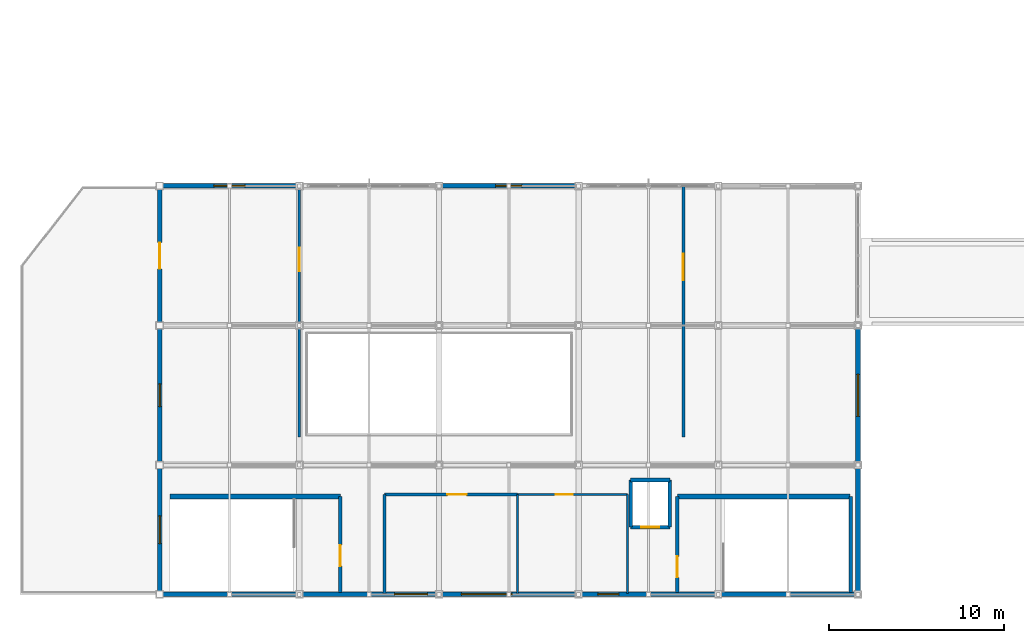
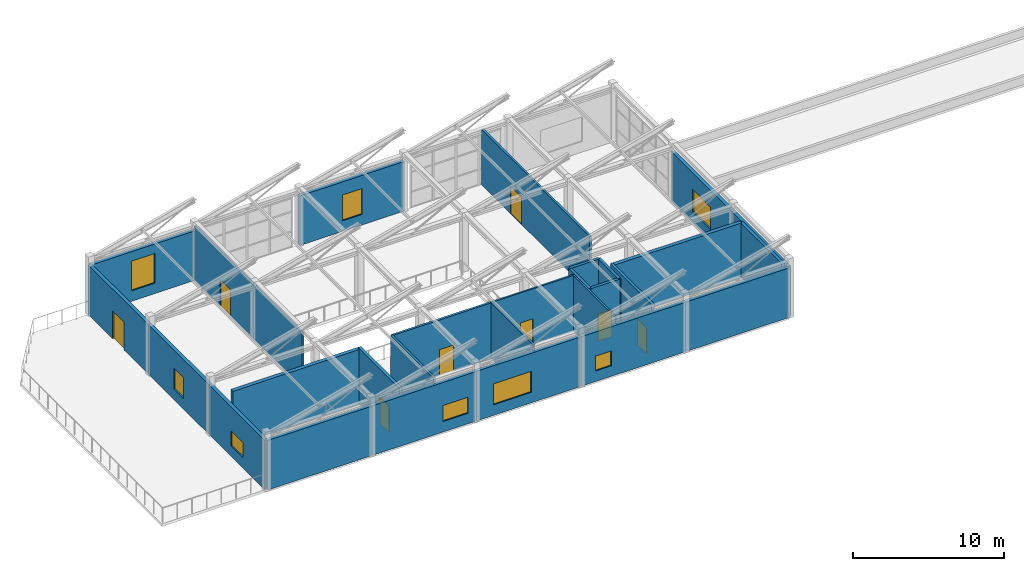
# One storey, part 49 of 63: 28 walls, 8 doors, 8 windows, 16 openings.
"""IFC4 building model written with IfcOpenShell, lengths in metres."""

import ifcopenshell
import ifcopenshell.guid

model = None  # the IFC model being written
_history = None  # IfcOwnerHistory: only IFC2X3 demands one
_inside = {}  # id of a spatial element -> (the spatial element, [elements in it])
_under = {}  # id of a project, library or spatial element -> (it, [spatial elements below it])
_declared = {}  # id of a project -> (the project, [libraries it declares])
_typed = {}  # id of a type object -> (the type object, [elements of that type])
_made_of = {}  # id of a material, layer set ... -> (it, [elements and type objects made of it])


def new_model(schema):
    """Start an empty IFC model of exactly this schema.

    Asked for "IFC4X3", IfcOpenShell would pick the latest addendum, in which some entities
    have other attributes; the version numbers below select the first issue.
    IFC2X3 requires an IfcOwnerHistory on every rooted entity: one is made here for all.
    """
    global model, _history
    if schema == "IFC4X3":
        model = ifcopenshell.file(schema_version=(4, 3, 0, 0))
    else:
        model = ifcopenshell.file(schema=schema)
    _inside.clear()
    _under.clear()
    _declared.clear()
    _typed.clear()
    _made_of.clear()
    _history = None
    if model.schema == "IFC2X3":
        org = make("IfcOrganization", Name="unknown")
        user = make(
            "IfcPersonAndOrganization",
            ThePerson=make("IfcPerson", FamilyName="unknown"),
            TheOrganization=org,
        )
        app = make(
            "IfcApplication",
            ApplicationDeveloper=org,
            Version="unknown",
            ApplicationFullName="unknown",
            ApplicationIdentifier="unknown",
        )
        _history = make(
            "IfcOwnerHistory",
            OwningUser=user,
            OwningApplication=app,
            ChangeAction="ADDED",
            CreationDate=0,
        )
    return model


def make(cls, **values):
    """One entity of the class cls with the attributes given. An attribute that is None is left unset."""
    return model.create_entity(
        cls, **{name: value for name, value in values.items() if value is not None}
    )


def rooted(cls, **values):
    """An entity with a GlobalId (a new one), such as an element, a storey or a relation."""
    return make(cls, GlobalId=ifcopenshell.guid.new(), OwnerHistory=_history, **values)


def si_unit(unit_type, name, prefix=None):
    """IfcSIUnit, for example si_unit("LENGTHUNIT", "METRE", prefix="MILLI")."""
    return make("IfcSIUnit", UnitType=unit_type, Prefix=prefix, Name=name)


def assignment(units):
    """IfcUnitAssignment: the units of a project."""
    return None if units is None else make("IfcUnitAssignment", Units=units)


def point(xyz):
    """IfcCartesianPoint."""
    return None if xyz is None else make("IfcCartesianPoint", Coordinates=xyz)


def direction(xyz):
    """IfcDirection."""
    return None if xyz is None else make("IfcDirection", DirectionRatios=xyz)


def frame(location, z_axis=None, x_axis=None):
    """IfcAxis2Placement3D, a coordinate frame: its origin and axes. An axis left out is left unset."""
    return make(
        "IfcAxis2Placement3D",
        Location=point(location),
        Axis=direction(z_axis),
        RefDirection=direction(x_axis),
    )


def frame_2d(location, x_axis=None):
    """IfcAxis2Placement2D, a coordinate frame in the plane: its origin and x axis."""
    return make(
        "IfcAxis2Placement2D", Location=point(location), RefDirection=direction(x_axis)
    )


def origin():
    """The frame at (0, 0, 0) with its axes left unset."""
    return frame((0.0, 0.0, 0.0))


def place(relative_to, where):
    """IfcLocalPlacement: puts the frame where relative to a parent placement (None: the world)."""
    return make(
        "IfcLocalPlacement", PlacementRelTo=relative_to, RelativePlacement=where
    )


def context(
    kind, dimensions, precision=None, world=None, true_north=None, identifier=None
):
    """IfcGeometricRepresentationContext, for example the 3D "Model" context."""
    return make(
        "IfcGeometricRepresentationContext",
        ContextIdentifier=identifier,
        ContextType=kind,
        CoordinateSpaceDimension=dimensions,
        Precision=precision,
        WorldCoordinateSystem=world,
        TrueNorth=true_north,
    )


def subcontext(parent, identifier, kind, view, scale=None):
    """IfcGeometricRepresentationSubContext, for example "Body" below "Model"."""
    return make(
        "IfcGeometricRepresentationSubContext",
        ContextIdentifier=identifier,
        ContextType=kind,
        ParentContext=parent,
        TargetScale=scale,
        TargetView=view,
    )


def project(units=None, contexts=None):
    """IfcProject with its units and contexts."""
    return rooted(
        "IfcProject",
        Name="project",
        RepresentationContexts=contexts,
        UnitsInContext=assignment(units),
    )


def spatial(cls, under=None, at=None, **own):
    """A site, building, storey or space (cls), placed at a placement, below another one or the project."""
    s = rooted(cls, ObjectPlacement=at, **own)
    if under is not None:
        _under.setdefault(under.id(), (under, []))[1].append(s)
    return s


def profile(cls, at=None, kind="AREA", **sizes):
    """A parametric profile (cls). Its sizes go by their IFC names, for example OverallWidth=200.0."""
    return make(cls, ProfileType=kind, Position=at, **sizes)


def rectangle(**sizes):
    """IfcRectangleProfileDef."""
    return profile("IfcRectangleProfileDef", **sizes)


def extrude(swept, where, along, depth):
    """IfcExtrudedAreaSolid: the profile swept, set in the frame where, extruded along a direction by depth."""
    return make(
        "IfcExtrudedAreaSolid",
        SweptArea=swept,
        Position=where,
        ExtrudedDirection=direction(along),
        Depth=depth,
    )


def shape(context_of_items, identifier, shape_type, items):
    """IfcShapeRepresentation: the items that make up one representation, for example the "Body"."""
    return make(
        "IfcShapeRepresentation",
        ContextOfItems=context_of_items,
        RepresentationIdentifier=identifier,
        RepresentationType=shape_type,
        Items=items,
    )


def material(Name=None, Category=None):
    """IfcMaterial."""
    return make("IfcMaterial", Name=Name, Category=Category)


def layer(
    of_material, thickness, ventilated=None, Name=None, Category=None, Priority=None
):
    """IfcMaterialLayer: one layer of a wall or slab, of a material (None: an air gap)."""
    return make(
        "IfcMaterialLayer",
        Material=of_material,
        LayerThickness=thickness,
        IsVentilated=ventilated,
        Name=Name,
        Category=Category,
        Priority=Priority,
    )


def layer_set(layers, Name=None):
    """IfcMaterialLayerSet."""
    return make("IfcMaterialLayerSet", MaterialLayers=layers, LayerSetName=Name)


def made_of(thing, what):
    """Note that an element or type object is made of a material, layer set ...; save() writes the relation."""
    if what is not None:
        _made_of.setdefault(what.id(), (what, []))[1].append(thing)
    return thing


def type_object(cls, material=None, **own):
    """A type object (cls), such as IfcWallType, which elements share."""
    return made_of(rooted(cls, **own), material)


def element(
    cls,
    number,
    at=None,
    inside=None,
    cuts=None,
    type_object=None,
    material=None,
    context=None,
    identifier="Body",
    shape_type=None,
    held_by="IfcProductDefinitionShape",
    body=None,
    shapes=None,
    **own,
):
    """One element of the class cls, such as IfcWall. Its Tag is "e" and its number.

    at: its placement. inside: the storey or other place that contains it. cuts: it is an
    opening in that element (IfcRelVoidsElement). A single representation is given by context,
    identifier, shape_type and body (its items); several are given by shapes. held_by: the class
    of the entity that holds the representations. save() writes the other relations.
    """
    e = rooted(cls, Tag="e%d" % number, ObjectPlacement=at, **own)
    if body is not None:
        shapes = [shape(context, identifier, shape_type, body)]
    if shapes is not None:
        e.Representation = make(held_by, Representations=shapes)
    if inside is not None:
        _inside.setdefault(inside.id(), (inside, []))[1].append(e)
    if cuts is not None:
        rooted(
            "IfcRelVoidsElement", RelatingBuildingElement=cuts, RelatedOpeningElement=e
        )
    if type_object is not None:
        _typed.setdefault(type_object.id(), (type_object, []))[1].append(e)
    return made_of(e, material)


def fill(opening, filler):
    """IfcRelFillsElement: the door or window that sits in an opening."""
    return rooted(
        "IfcRelFillsElement",
        RelatingOpeningElement=opening,
        RelatedBuildingElement=filler,
    )


def aggregate(whole, parts):
    """IfcRelAggregates: a whole, such as a stair, and the parts it consists of."""
    return rooted("IfcRelAggregates", RelatingObject=whole, RelatedObjects=parts)


def save(model, path):
    """Write the relations noted so far, then the file.

    IfcRelAggregates (storeys below a building ...), IfcRelContainedInSpatialStructure (elements
    in a storey), IfcRelDefinesByType, IfcRelAssociatesMaterial and IfcRelDeclares: one each for
    every whole, place, type object, material and project.
    """
    for whole, parts in _under.values():
        aggregate(whole, parts)
    for where, things in _inside.values():
        rooted(
            "IfcRelContainedInSpatialStructure",
            RelatedElements=things,
            RelatingStructure=where,
        )
    for kind, things in _typed.values():
        rooted("IfcRelDefinesByType", RelatedObjects=things, RelatingType=kind)
    for what, things in _made_of.values():
        rooted("IfcRelAssociatesMaterial", RelatedObjects=things, RelatingMaterial=what)
    for by, libraries in _declared.values():
        rooted("IfcRelDeclares", RelatingContext=by, RelatedDefinitions=libraries)
    model.write(path)


model = new_model("IFC4")

# Units and contexts
model_context = context("Model", 3, precision=1e-05, world=origin(), true_north=direction((0.0, 1.0)))
body_context = subcontext(model_context, "Body", "Model", "MODEL_VIEW")
ifc_project = project(units=[si_unit("LENGTHUNIT", "METRE"), si_unit("AREAUNIT", "SQUARE_METRE"), si_unit("VOLUMEUNIT", "CUBIC_METRE"), si_unit("PLANEANGLEUNIT", "RADIAN"), si_unit("MASSUNIT", "GRAM", prefix="KILO")], contexts=[model_context])

# Site, building, storey
site_placement = place(None, origin())
site = spatial("IfcSite", under=ifc_project, at=site_placement, CompositionType="ELEMENT")
building_placement = place(site_placement, origin())
building = spatial("IfcBuilding", under=site, at=building_placement, Name="Canggui Botanical Conservatory", CompositionType="ELEMENT")
storey_placement = place(building_placement, frame((0.0, 0.0, 10.199951171875)))
storey = spatial("IfcBuildingStorey", under=building, at=storey_placement, Name="L03", CompositionType="ELEMENT", Elevation=10.199951171875)

# Wall
ifc_material_1 = material(Name="Precast Concrete C40", Category="concrete")
ifc_layer_1 = layer(ifc_material_1, 0.260009765625, Name="Precast Concrete C40", Category="concrete")
ifc_layer_set_1 = layer_set([ifc_layer_1], Name="Precast Concrete C40")
wall_type_1 = type_object("IfcWallType", Name="EW-260", PredefinedType="STANDARD", material=ifc_layer_set_1)
wall_1_placement = place(storey_placement, frame((66.0, 10.60009765625, 0.0), z_axis=(0.0, 0.0, 1.0), x_axis=(-1.0, 0.0, 0.0)))
element("IfcWall", 1, at=wall_1_placement, inside=storey, type_object=wall_type_1, Name="Visitor Centre Exterior Wall L03-1", PredefinedType="STANDARD", context=body_context, shape_type="SweptSolid", body=[
    extrude(rectangle(XDim=8.0, YDim=0.260009765625, at=frame_2d((4.0, 0.0))), origin(), (0.0, 0.0, 1.0), 4.010009765625),
])

# Wall, opening, window
wall_2_placement = place(storey_placement, frame((58.0, 10.60009765625, 0.0), z_axis=(0.0, 0.0, 1.0), x_axis=(-1.0, 0.0, 0.0)))
wall_2 = element("IfcWall", 2, at=wall_2_placement, inside=storey, type_object=wall_type_1, Name="Visitor Centre Exterior Wall L03-2", PredefinedType="STANDARD", context=body_context, shape_type="SweptSolid", body=[
    extrude(rectangle(XDim=8.0, YDim=0.260009765625, at=frame_2d((4.0, 0.0))), origin(), (0.0, 0.0, 1.0), 4.010009765625),
])
opening_1_placement = place(wall_2_placement, frame((5.69189453125, 0.0, 0.85009765625)))
opening_1 = element("IfcOpeningElement", 3, at=opening_1_placement, cuts=wall_2, Name="Opening W-06", PredefinedType="OPENING", context=body_context, shape_type="SweptSolid", body=[
    extrude(rectangle(XDim=1.199951171875, YDim=1.199951171875, at=frame_2d((0.60009765625, 0.60009765625))), frame((0.0, 0.14013671875, 0.0), z_axis=(0.0, -1.0, 0.0), x_axis=(1.0, 0.0, 0.0)), (0.0, 0.0, 1.0), 0.280029296875),
])
ifc_material_2 = material(Name="Low-E Insulated Glass", Category="glass")
window_type_1 = type_object("IfcWindowType", Name="WIN-06", PartitioningType="SINGLE_PANEL", PredefinedType="WINDOW", material=ifc_material_2)
window_1_placement = place(opening_1_placement, origin())
window_1 = element("IfcWindow", 4, at=window_1_placement, inside=storey, type_object=window_type_1, Name="Visitor Centre Window L03-2", OverallHeight=1.199951171875, OverallWidth=1.199951171875, PartitioningType="SINGLE_PANEL", PredefinedType="WINDOW", context=body_context, shape_type="SweptSolid", body=[
    extrude(rectangle(XDim=1.199951171875, YDim=1.199951171875, at=frame_2d((0.60009765625, 0.60009765625))), frame((0.0, 0.030029296875, 0.0), z_axis=(0.0, -1.0, 0.0), x_axis=(1.0, 0.0, 0.0)), (0.0, 0.0, 1.0), 0.06005859375),
])
fill(opening_1, window_1)

wall_3_placement = place(storey_placement, frame((50.0, 10.60009765625, 0.0), z_axis=(0.0, 0.0, 1.0), x_axis=(-1.0, 0.0, 0.0)))
wall_3 = element("IfcWall", 5, at=wall_3_placement, inside=storey, type_object=wall_type_1, Name="Visitor Centre Exterior Wall L03-3", PredefinedType="STANDARD", context=body_context, shape_type="SweptSolid", body=[
    extrude(rectangle(XDim=8.0, YDim=0.260009765625, at=frame_2d((4.0, 0.0))), origin(), (0.0, 0.0, 1.0), 4.010009765625),
])
opening_2_placement = place(wall_3_placement, frame((3.81689453125, 0.0, 0.85009765625)))
opening_2 = element("IfcOpeningElement", 6, at=opening_2_placement, cuts=wall_3, Name="Opening W-21", PredefinedType="OPENING", context=body_context, shape_type="SweptSolid", body=[
    extrude(rectangle(XDim=2.89990234375, YDim=1.699951171875, at=frame_2d((1.449951171875, 0.85009765625))), frame((0.0, 0.14013671875, 0.0), z_axis=(0.0, -1.0, 0.0), x_axis=(1.0, 0.0, 0.0)), (0.0, 0.0, 1.0), 0.280029296875),
])
window_type_2 = type_object("IfcWindowType", Name="WIN-21", PartitioningType="TRIPLE_PANEL_VERTICAL", PredefinedType="WINDOW", material=ifc_material_2)
window_2_placement = place(opening_2_placement, origin())
window_2 = element("IfcWindow", 7, at=window_2_placement, inside=storey, type_object=window_type_2, Name="Visitor Centre Window L03-3", OverallHeight=1.699951171875, OverallWidth=2.89990234375, PartitioningType="SINGLE_PANEL", PredefinedType="WINDOW", context=body_context, shape_type="SweptSolid", body=[
    extrude(rectangle(XDim=2.89990234375, YDim=1.699951171875, at=frame_2d((1.449951171875, 0.85009765625))), frame((0.0, 0.030029296875, 0.0), z_axis=(0.0, -1.0, 0.0), x_axis=(1.0, 0.0, 0.0)), (0.0, 0.0, 1.0), 0.06005859375),
])
fill(opening_2, window_2)

wall_4_placement = place(storey_placement, frame((42.0, 10.60009765625, 0.0), z_axis=(0.0, 0.0, 1.0), x_axis=(-1.0, 0.0, 0.0)))
wall_4 = element("IfcWall", 8, at=wall_4_placement, inside=storey, type_object=wall_type_1, Name="Visitor Centre Exterior Wall L03-4", PredefinedType="STANDARD", context=body_context, shape_type="SweptSolid", body=[
    extrude(rectangle(XDim=8.0, YDim=0.260009765625, at=frame_2d((4.0, 0.0))), origin(), (0.0, 0.0, 1.0), 4.010009765625),
])
opening_3_placement = place(wall_4_placement, frame((0.64990234375, 0.0, 0.85009765625)))
opening_3 = element("IfcOpeningElement", 9, at=opening_3_placement, cuts=wall_4, Name="Opening W-22", PredefinedType="OPENING", context=body_context, shape_type="SweptSolid", body=[
    extrude(rectangle(XDim=1.89990234375, YDim=1.300048828125, at=frame_2d((0.949951171875, 0.64990234375))), frame((0.0, 0.14013671875, 0.0), z_axis=(0.0, -1.0, 0.0), x_axis=(1.0, 0.0, 0.0)), (0.0, 0.0, 1.0), 0.280029296875),
])
window_type_3 = type_object("IfcWindowType", Name="WIN-22", PartitioningType="DOUBLE_PANEL_VERTICAL", PredefinedType="WINDOW", material=ifc_material_2)
window_3_placement = place(opening_3_placement, origin())
window_3 = element("IfcWindow", 10, at=window_3_placement, inside=storey, type_object=window_type_3, Name="Visitor Centre Window L03-4", OverallHeight=1.300048828125, OverallWidth=1.89990234375, PartitioningType="SINGLE_PANEL", PredefinedType="WINDOW", context=body_context, shape_type="SweptSolid", body=[
    extrude(rectangle(XDim=1.89990234375, YDim=1.300048828125, at=frame_2d((0.949951171875, 0.64990234375))), frame((0.0, 0.030029296875, 0.0), z_axis=(0.0, -1.0, 0.0), x_axis=(1.0, 0.0, 0.0)), (0.0, 0.0, 1.0), 0.06005859375),
])
fill(opening_3, window_3)

# Wall
wall_5_placement = place(storey_placement, frame((34.0, 10.60009765625, 0.0), z_axis=(0.0, 0.0, 1.0), x_axis=(-1.0, 0.0, 0.0)))
element("IfcWall", 11, at=wall_5_placement, inside=storey, type_object=wall_type_1, Name="Visitor Centre Exterior Wall L03-5", PredefinedType="STANDARD", context=body_context, shape_type="SweptSolid", body=[
    extrude(rectangle(XDim=8.0, YDim=0.260009765625, at=frame_2d((4.0, 0.0))), origin(), (0.0, 0.0, 1.0), 4.010009765625),
])

# Wall, opening, window
wall_6_placement = place(storey_placement, frame((26.0, 10.60009765625, 0.0), z_axis=(0.0, 0.0, 1.0), x_axis=(0.0, 1.0, 0.0)))
wall_6 = element("IfcWall", 12, at=wall_6_placement, inside=storey, type_object=wall_type_1, Name="Visitor Centre Exterior Wall L03-6", PredefinedType="STANDARD", context=body_context, shape_type="SweptSolid", body=[
    extrude(rectangle(XDim=7.39990234375, YDim=0.260009765625, at=frame_2d((3.699951171875, 0.0))), origin(), (0.0, 0.0, 1.0), 4.010009765625),
])
opening_4_placement = place(wall_6_placement, frame((2.89990234375, 0.0, 0.85009765625)))
opening_4 = element("IfcOpeningElement", 13, at=opening_4_placement, cuts=wall_6, Name="Opening W-04", PredefinedType="OPENING", context=body_context, shape_type="SweptSolid", body=[
    extrude(rectangle(XDim=1.60009765625, YDim=1.199951171875, at=frame_2d((0.800048828125, 0.60009765625))), frame((0.0, 0.14013671875, 0.0), z_axis=(0.0, -1.0, 0.0), x_axis=(1.0, 0.0, 0.0)), (0.0, 0.0, 1.0), 0.280029296875),
])
window_type_4 = type_object("IfcWindowType", Name="WIN-04", PartitioningType="SINGLE_PANEL", PredefinedType="WINDOW", material=ifc_material_2)
window_4_placement = place(opening_4_placement, origin())
window_4 = element("IfcWindow", 14, at=window_4_placement, inside=storey, type_object=window_type_4, Name="Visitor Centre Window L03-6", OverallHeight=1.199951171875, OverallWidth=1.60009765625, PartitioningType="SINGLE_PANEL", PredefinedType="WINDOW", context=body_context, shape_type="SweptSolid", body=[
    extrude(rectangle(XDim=1.60009765625, YDim=1.199951171875, at=frame_2d((0.800048828125, 0.60009765625))), frame((0.0, 0.030029296875, 0.0), z_axis=(0.0, -1.0, 0.0), x_axis=(1.0, 0.0, 0.0)), (0.0, 0.0, 1.0), 0.06005859375),
])
fill(opening_4, window_4)

wall_7_placement = place(storey_placement, frame((26.0, 18.0, 0.0), z_axis=(0.0, 0.0, 1.0), x_axis=(0.0, 1.0, 0.0)))
wall_7 = element("IfcWall", 15, at=wall_7_placement, inside=storey, type_object=wall_type_1, Name="Visitor Centre Exterior Wall L03-7", PredefinedType="STANDARD", context=body_context, shape_type="SweptSolid", body=[
    extrude(rectangle(XDim=8.0, YDim=0.260009765625, at=frame_2d((4.0, 0.0))), origin(), (0.0, 0.0, 1.0), 4.010009765625),
])
opening_5_placement = place(wall_7_placement, frame((3.35009765625, 0.0, 0.85009765625)))
opening_5 = element("IfcOpeningElement", 16, at=opening_5_placement, cuts=wall_7, Name="Opening W-24", PredefinedType="OPENING", context=body_context, shape_type="SweptSolid", body=[
    extrude(rectangle(XDim=1.300048828125, YDim=1.699951171875, at=frame_2d((0.64990234375, 0.85009765625))), frame((0.0, 0.14013671875, 0.0), z_axis=(0.0, -1.0, 0.0), x_axis=(1.0, 0.0, 0.0)), (0.0, 0.0, 1.0), 0.280029296875),
])
window_type_5 = type_object("IfcWindowType", Name="WIN-24", PartitioningType="SINGLE_PANEL", PredefinedType="WINDOW", material=ifc_material_2)
window_5_placement = place(opening_5_placement, origin())
window_5 = element("IfcWindow", 17, at=window_5_placement, inside=storey, type_object=window_type_5, Name="Visitor Centre Window L03-7", OverallHeight=1.699951171875, OverallWidth=1.300048828125, PartitioningType="SINGLE_PANEL", PredefinedType="WINDOW", context=body_context, shape_type="SweptSolid", body=[
    extrude(rectangle(XDim=1.300048828125, YDim=1.699951171875, at=frame_2d((0.64990234375, 0.85009765625))), frame((0.0, 0.030029296875, 0.0), z_axis=(0.0, -1.0, 0.0), x_axis=(1.0, 0.0, 0.0)), (0.0, 0.0, 1.0), 0.06005859375),
])
fill(opening_5, window_5)

# Wall, opening, door
wall_8_placement = place(storey_placement, frame((26.0, 26.0, 0.0), z_axis=(0.0, 0.0, 1.0), x_axis=(0.0, 1.0, 0.0)))
wall_8 = element("IfcWall", 18, at=wall_8_placement, inside=storey, type_object=wall_type_1, Name="Visitor Centre Exterior Wall L03-8", PredefinedType="STANDARD", context=body_context, shape_type="SweptSolid", body=[
    extrude(rectangle(XDim=8.0, YDim=0.260009765625, at=frame_2d((4.0, 0.0))), origin(), (0.0, 0.0, 1.0), 4.010009765625),
])
opening_6_placement = place(wall_8_placement, frame((3.25, 0.0, 0.0)))
opening_6 = element("IfcOpeningElement", 19, at=opening_6_placement, cuts=wall_8, Name="Opening TD-01", PredefinedType="OPENING", context=body_context, shape_type="SweptSolid", body=[
    extrude(rectangle(XDim=1.5, YDim=2.25, at=frame_2d((0.75, 1.125))), frame((0.0, 0.14013671875, 0.0), z_axis=(0.0, -1.0, 0.0), x_axis=(1.0, 0.0, 0.0)), (0.0, 0.0, 1.0), 0.280029296875),
])
ifc_material_3 = material(Name="Anodised Aluminium", Category="aluminium")
door_type_1 = type_object("IfcDoorType", Name="EDR-TER15", OperationType="NOTDEFINED", PredefinedType="DOOR", material=ifc_material_3)
door_1_placement = place(opening_6_placement, origin())
door_1 = element("IfcDoor", 20, at=door_1_placement, inside=storey, type_object=door_type_1, Name="Visitor Reading Terrace Door L03", OperationType="SINGLE_SWING_RIGHT", OverallHeight=2.25, OverallWidth=1.5, PredefinedType="DOOR", context=body_context, shape_type="SweptSolid", body=[
    extrude(rectangle(XDim=1.5, YDim=2.25, at=frame_2d((0.75, 1.125))), frame((0.0, 0.02490234375, 0.0), z_axis=(0.0, -1.0, 0.0), x_axis=(1.0, 0.0, 0.0)), (0.0, 0.0, 1.0), 0.050048828125),
])
fill(opening_6, door_1)

# Wall, opening, window
wall_9_placement = place(storey_placement, frame((26.0, 34.0, 0.0), z_axis=(0.0, 0.0, 1.0), x_axis=(1.0, 0.0, 0.0)))
wall_9 = element("IfcWall", 21, at=wall_9_placement, inside=storey, type_object=wall_type_1, Name="Visitor Centre Exterior Wall L03-9", PredefinedType="STANDARD", context=body_context, shape_type="SweptSolid", body=[
    extrude(rectangle(XDim=8.0, YDim=0.260009765625, at=frame_2d((4.0, 0.0))), origin(), (0.0, 0.0, 1.0), 4.010009765625),
])
opening_7_placement = place(wall_9_placement, frame((3.10009765625, 0.0, 0.85009765625)))
opening_7 = element("IfcOpeningElement", 22, at=opening_7_placement, cuts=wall_9, Name="Opening W-12", PredefinedType="OPENING", context=body_context, shape_type="SweptSolid", body=[
    extrude(rectangle(XDim=1.800048828125, YDim=2.39990234375, at=frame_2d((0.89990234375, 1.199951171875))), frame((0.0, 0.14013671875, 0.0), z_axis=(0.0, -1.0, 0.0), x_axis=(1.0, 0.0, 0.0)), (0.0, 0.0, 1.0), 0.280029296875),
])
window_type_6 = type_object("IfcWindowType", Name="WIN-12", PartitioningType="DOUBLE_PANEL_HORIZONTAL", PredefinedType="WINDOW", material=ifc_material_2)
window_6_placement = place(opening_7_placement, origin())
window_6 = element("IfcWindow", 23, at=window_6_placement, inside=storey, type_object=window_type_6, Name="Visitor Centre Window L03-9", OverallHeight=2.39990234375, OverallWidth=1.800048828125, PartitioningType="SINGLE_PANEL", PredefinedType="WINDOW", context=body_context, shape_type="SweptSolid", body=[
    extrude(rectangle(XDim=1.800048828125, YDim=2.39990234375, at=frame_2d((0.89990234375, 1.199951171875))), frame((0.0, 0.030029296875, 0.0), z_axis=(0.0, -1.0, 0.0), x_axis=(1.0, 0.0, 0.0)), (0.0, 0.0, 1.0), 0.06005859375),
])
fill(opening_7, window_6)

wall_10_placement = place(storey_placement, frame((42.0, 34.0, 0.0), z_axis=(0.0, 0.0, 1.0), x_axis=(1.0, 0.0, 0.0)))
wall_10 = element("IfcWall", 24, at=wall_10_placement, inside=storey, type_object=wall_type_1, Name="Visitor Centre Exterior Wall L03-11", PredefinedType="STANDARD", context=body_context, shape_type="SweptSolid", body=[
    extrude(rectangle(XDim=8.0, YDim=0.260009765625, at=frame_2d((4.0, 0.0))), origin(), (0.0, 0.0, 1.0), 4.010009765625),
])
opening_8_placement = place(wall_10_placement, frame((3.25, 0.0, 0.85009765625)))
opening_8 = element("IfcOpeningElement", 25, at=opening_8_placement, cuts=wall_10, Name="Opening W-13", PredefinedType="OPENING", context=body_context, shape_type="SweptSolid", body=[
    extrude(rectangle(XDim=1.5, YDim=2.10009765625, at=frame_2d((0.75, 1.050048828125))), frame((0.0, 0.14013671875, 0.0), z_axis=(0.0, -1.0, 0.0), x_axis=(1.0, 0.0, 0.0)), (0.0, 0.0, 1.0), 0.280029296875),
])
window_type_7 = type_object("IfcWindowType", Name="WIN-13", PartitioningType="DOUBLE_PANEL_HORIZONTAL", PredefinedType="WINDOW", material=ifc_material_2)
window_7_placement = place(opening_8_placement, origin())
window_7 = element("IfcWindow", 26, at=window_7_placement, inside=storey, type_object=window_type_7, Name="Visitor Centre Window L03-11", OverallHeight=2.10009765625, OverallWidth=1.5, PartitioningType="SINGLE_PANEL", PredefinedType="WINDOW", context=body_context, shape_type="SweptSolid", body=[
    extrude(rectangle(XDim=1.5, YDim=2.10009765625, at=frame_2d((0.75, 1.050048828125))), frame((0.0, 0.030029296875, 0.0), z_axis=(0.0, -1.0, 0.0), x_axis=(1.0, 0.0, 0.0)), (0.0, 0.0, 1.0), 0.06005859375),
])
fill(opening_8, window_7)

wall_11_placement = place(storey_placement, frame((66.0, 26.0, 0.0), z_axis=(0.0, 0.0, 1.0), x_axis=(0.0, -1.0, 0.0)))
wall_11 = element("IfcWall", 27, at=wall_11_placement, inside=storey, type_object=wall_type_1, Name="Visitor Centre Exterior Wall L03-15", PredefinedType="STANDARD", context=body_context, shape_type="SweptSolid", body=[
    extrude(rectangle(XDim=8.0, YDim=0.260009765625, at=frame_2d((4.0, 0.0))), origin(), (0.0, 0.0, 1.0), 4.010009765625),
])
opening_9_placement = place(wall_11_placement, frame((2.800048828125, 0.0, 0.85009765625)))
opening_9 = element("IfcOpeningElement", 28, at=opening_9_placement, cuts=wall_11, Name="Opening W-01", PredefinedType="OPENING", context=body_context, shape_type="SweptSolid", body=[
    extrude(rectangle(XDim=2.39990234375, YDim=1.800048828125, at=frame_2d((1.199951171875, 0.89990234375))), frame((0.0, 0.14013671875, 0.0), z_axis=(0.0, -1.0, 0.0), x_axis=(1.0, 0.0, 0.0)), (0.0, 0.0, 1.0), 0.280029296875),
])
window_type_8 = type_object("IfcWindowType", Name="WIN-01", PartitioningType="DOUBLE_PANEL_VERTICAL", PredefinedType="WINDOW", material=ifc_material_2)
window_8_placement = place(opening_9_placement, origin())
window_8 = element("IfcWindow", 29, at=window_8_placement, inside=storey, type_object=window_type_8, Name="Visitor Centre Window L03-15", OverallHeight=1.800048828125, OverallWidth=2.39990234375, PartitioningType="SINGLE_PANEL", PredefinedType="WINDOW", context=body_context, shape_type="SweptSolid", body=[
    extrude(rectangle(XDim=2.39990234375, YDim=1.800048828125, at=frame_2d((1.199951171875, 0.89990234375))), frame((0.0, 0.030029296875, 0.0), z_axis=(0.0, -1.0, 0.0), x_axis=(1.0, 0.0, 0.0)), (0.0, 0.0, 1.0), 0.06005859375),
])
fill(opening_9, window_8)

# Walls
wall_12_placement = place(storey_placement, frame((66.0, 18.0, 0.0), z_axis=(0.0, 0.0, 1.0), x_axis=(0.0, -1.0, 0.0)))
element("IfcWall", 30, at=wall_12_placement, inside=storey, type_object=wall_type_1, Name="Visitor Centre Exterior Wall L03-16", PredefinedType="STANDARD", context=body_context, shape_type="SweptSolid", body=[
    extrude(rectangle(XDim=7.39990234375, YDim=0.260009765625, at=frame_2d((3.699951171875, 0.0))), origin(), (0.0, 0.0, 1.0), 4.010009765625),
])
ifc_material_4 = material(Name="Gypsum Plasterboard Partition")
ifc_layer_2 = layer(ifc_material_4, 0.175048828125, Name="Gypsum Plasterboard Partition")
ifc_layer_set_2 = layer_set([ifc_layer_2], Name="Gypsum Plasterboard Partition")
wall_type_2 = type_object("IfcWallType", Name="IW-CORR-175", PredefinedType="STANDARD", material=ifc_layer_set_2)
wall_13_placement = place(storey_placement, frame((38.8798828125, 10.64990234375, 0.0), z_axis=(0.0, 0.0, 1.0), x_axis=(0.0, 1.0, 0.0)))
element("IfcWall", 31, at=wall_13_placement, inside=storey, type_object=wall_type_2, Name="Visitor South Seminar West Wall L03", PredefinedType="STANDARD", context=body_context, shape_type="SweptSolid", body=[
    extrude(rectangle(XDim=5.670166015625, YDim=0.175048828125, at=frame_2d((2.8349609375, 0.0))), origin(), (0.0, 0.0, 1.0), 4.5),
])

# Wall, opening, door
wall_14_placement = place(storey_placement, frame((38.8798828125, 16.320068359375, 0.0), z_axis=(0.0, 0.0, 1.0), x_axis=(1.0, 0.0, 0.0)))
wall_14 = element("IfcWall", 32, at=wall_14_placement, inside=storey, type_object=wall_type_2, Name="Visitor South Seminar Wall L03", PredefinedType="STANDARD", context=body_context, shape_type="SweptSolid", body=[
    extrude(rectangle(XDim=7.6201171875, YDim=0.175048828125, at=frame_2d((3.81005859375, 0.0))), origin(), (0.0, 0.0, 1.0), 4.5),
])
opening_10_placement = place(wall_14_placement, frame((3.60009765625, 0.0, 0.0)))
opening_10 = element("IfcOpeningElement", 33, at=opening_10_placement, cuts=wall_14, Name="Opening FD-05", PredefinedType="OPENING", context=body_context, shape_type="SweptSolid", body=[
    extrude(rectangle(XDim=1.10009765625, YDim=2.10009765625, at=frame_2d((0.550048828125, 1.050048828125))), frame((0.0, 0.09765625, 0.0), z_axis=(0.0, -1.0, 0.0), x_axis=(1.0, 0.0, 0.0)), (0.0, 0.0, 1.0), 0.195068359375),
])
ifc_material_5 = material(Name="Powder-Coated Steel", Category="steel")
door_type_2 = type_object("IfcDoorType", Name="FD-05", OperationType="NOTDEFINED", PredefinedType="DOOR", material=ifc_material_5)
door_2_placement = place(opening_10_placement, origin())
door_2 = element("IfcDoor", 34, at=door_2_placement, inside=storey, type_object=door_type_2, Name="Interior Door IW-VIS-L03-S1", OperationType="SINGLE_SWING_RIGHT", OverallHeight=2.10009765625, OverallWidth=1.10009765625, PredefinedType="DOOR", context=body_context, shape_type="SweptSolid", body=[
    extrude(rectangle(XDim=1.10009765625, YDim=2.10009765625, at=frame_2d((0.550048828125, 1.050048828125))), frame((0.0, 0.02490234375, 0.0), z_axis=(0.0, -1.0, 0.0), x_axis=(1.0, 0.0, 0.0)), (0.0, 0.0, 1.0), 0.050048828125),
])
fill(opening_10, door_2)

ifc_layer_3 = layer(ifc_material_4, 0.155029296875, Name="Gypsum Plasterboard Partition")
ifc_layer_set_3 = layer_set([ifc_layer_3], Name="Gypsum Plasterboard Partition")
wall_type_3 = type_object("IfcWallType", Name="IW-LAB-155", PredefinedType="STANDARD", material=ifc_layer_set_3)
wall_15_placement = place(storey_placement, frame((34.0, 19.60009765625, 0.0), z_axis=(0.0, 0.0, 1.0), x_axis=(0.0, 1.0, 0.0)))
wall_15 = element("IfcWall", 35, at=wall_15_placement, inside=storey, type_object=wall_type_3, Name="Education West Classroom Wall", PredefinedType="STANDARD", context=body_context, shape_type="SweptSolid", body=[
    extrude(rectangle(XDim=14.349853515625, YDim=0.155029296875, at=frame_2d((7.1748046875, 0.0))), origin(), (0.0, 0.0, 1.0), 4.380126953125),
])
opening_11_placement = place(wall_15_placement, frame((9.5, 0.0, 0.0)))
opening_11 = element("IfcOpeningElement", 36, at=opening_11_placement, cuts=wall_15, Name="Opening FD-10", PredefinedType="OPENING", context=body_context, shape_type="SweptSolid", body=[
    extrude(rectangle(XDim=1.35009765625, YDim=2.14990234375, at=frame_2d((0.675048828125, 1.074951171875))), frame((0.0, 0.08740234375, 0.0), z_axis=(0.0, -1.0, 0.0), x_axis=(1.0, 0.0, 0.0)), (0.0, 0.0, 1.0), 0.175048828125),
])
door_type_3 = type_object("IfcDoorType", Name="FD-10", OperationType="NOTDEFINED", PredefinedType="DOOR", material=ifc_material_5)
door_3_placement = place(opening_11_placement, origin())
door_3 = element("IfcDoor", 37, at=door_3_placement, inside=storey, type_object=door_type_3, Name="Interior Door IW-VIS-L03-W", OperationType="SINGLE_SWING_RIGHT", OverallHeight=2.14990234375, OverallWidth=1.35009765625, PredefinedType="DOOR", context=body_context, shape_type="SweptSolid", body=[
    extrude(rectangle(XDim=1.35009765625, YDim=2.14990234375, at=frame_2d((0.675048828125, 1.074951171875))), frame((0.0, 0.02490234375, 0.0), z_axis=(0.0, -1.0, 0.0), x_axis=(1.0, 0.0, 0.0)), (0.0, 0.0, 1.0), 0.050048828125),
])
fill(opening_11, door_3)

wall_16_placement = place(storey_placement, frame((56.0, 19.60009765625, 0.0), z_axis=(0.0, 0.0, 1.0), x_axis=(0.0, 1.0, 0.0)))
wall_16 = element("IfcWall", 38, at=wall_16_placement, inside=storey, type_object=wall_type_3, Name="Visitor East Hall Wall L03", PredefinedType="STANDARD", context=body_context, shape_type="SweptSolid", body=[
    extrude(rectangle(XDim=14.349853515625, YDim=0.155029296875, at=frame_2d((7.1748046875, 0.0))), origin(), (0.0, 0.0, 1.0), 4.5),
])
opening_12_placement = place(wall_16_placement, frame((9.0, 0.0, 0.0)))
opening_12 = element("IfcOpeningElement", 39, at=opening_12_placement, cuts=wall_16, Name="Opening FD-13", PredefinedType="OPENING", context=body_context, shape_type="SweptSolid", body=[
    extrude(rectangle(XDim=1.5, YDim=2.199951171875, at=frame_2d((0.75, 1.10009765625))), frame((0.0, 0.08740234375, 0.0), z_axis=(0.0, -1.0, 0.0), x_axis=(1.0, 0.0, 0.0)), (0.0, 0.0, 1.0), 0.175048828125),
])
door_type_4 = type_object("IfcDoorType", Name="FD-13", OperationType="NOTDEFINED", PredefinedType="DOOR", material=ifc_material_5)
door_4_placement = place(opening_12_placement, origin())
door_4 = element("IfcDoor", 40, at=door_4_placement, inside=storey, type_object=door_type_4, Name="Interior Door IW-VIS-L03-E", OperationType="SINGLE_SWING_LEFT", OverallHeight=2.199951171875, OverallWidth=1.5, PredefinedType="DOOR", context=body_context, shape_type="SweptSolid", body=[
    extrude(rectangle(XDim=1.5, YDim=2.199951171875, at=frame_2d((0.75, 1.10009765625))), frame((0.0, 0.02490234375, 0.0), z_axis=(0.0, -1.0, 0.0), x_axis=(1.0, 0.0, 0.0)), (0.0, 0.0, 1.0), 0.050048828125),
])
fill(opening_12, door_4)

ifc_material_6 = material(Name="Concrete C35", Category="concrete")
ifc_layer_4 = layer(ifc_material_6, 0.215087890625, Name="Concrete C35", Category="concrete")
ifc_layer_set_4 = layer_set([ifc_layer_4], Name="Concrete C35")
wall_type_4 = type_object("IfcWallType", Name="IW-SHAFT-215", PredefinedType="STANDARD", material=ifc_layer_set_4)
wall_17_placement = place(storey_placement, frame((55.64990234375, 10.719970703125, 0.0), z_axis=(0.0, 0.0, 1.0), x_axis=(0.0, 1.0, 0.0)))
wall_17 = element("IfcWall", 41, at=wall_17_placement, inside=storey, type_object=wall_type_4, Name="ST-V1 Shaft West Wall L03", PredefinedType="STANDARD", context=body_context, shape_type="SweptSolid", body=[
    extrude(rectangle(XDim=5.47998046875, YDim=0.215087890625, at=frame_2d((2.739990234375, 0.0))), origin(), (0.0, 0.0, 1.0), 4.5),
])
opening_13_placement = place(wall_17_placement, frame((0.85009765625, 0.0, 0.0)))
opening_13 = element("IfcOpeningElement", 42, at=opening_13_placement, cuts=wall_17, Name="Opening FD-07", PredefinedType="OPENING", context=body_context, shape_type="SweptSolid", body=[
    extrude(rectangle(XDim=1.199951171875, YDim=2.10009765625, at=frame_2d((0.60009765625, 1.050048828125))), frame((0.0, 0.11767578125, 0.0), z_axis=(0.0, -1.0, 0.0), x_axis=(1.0, 0.0, 0.0)), (0.0, 0.0, 1.0), 0.235107421875),
])
door_type_5 = type_object("IfcDoorType", Name="FD-07", OperationType="NOTDEFINED", PredefinedType="DOOR", material=ifc_material_5)
door_5_placement = place(opening_13_placement, origin())
door_5 = element("IfcDoor", 43, at=door_5_placement, inside=storey, type_object=door_type_5, Name="Visitor Stair ST-V1 Door L03", OperationType="SINGLE_SWING_LEFT", OverallHeight=2.10009765625, OverallWidth=1.199951171875, PredefinedType="DOOR", context=body_context, shape_type="SweptSolid", body=[
    extrude(rectangle(XDim=1.199951171875, YDim=2.10009765625, at=frame_2d((0.60009765625, 1.050048828125))), frame((0.0, 0.02490234375, 0.0), z_axis=(0.0, -1.0, 0.0), x_axis=(1.0, 0.0, 0.0)), (0.0, 0.0, 1.0), 0.050048828125),
])
fill(opening_13, door_5)

# Wall
wall_18_placement = place(storey_placement, frame((65.580078125, 10.719970703125, 0.0), z_axis=(0.0, 0.0, 1.0), x_axis=(0.0, 1.0, 0.0)))
element("IfcWall", 44, at=wall_18_placement, inside=storey, type_object=wall_type_4, Name="ST-V1 Shaft East Liner Wall L03", PredefinedType="STANDARD", context=body_context, shape_type="SweptSolid", body=[
    extrude(rectangle(XDim=5.47998046875, YDim=0.215087890625, at=frame_2d((2.739990234375, 0.0))), origin(), (0.0, 0.0, 1.0), 4.380126953125),
])

# Wall, opening, door
wall_19_placement = place(storey_placement, frame((36.35009765625, 10.719970703125, 0.0), z_axis=(0.0, 0.0, 1.0), x_axis=(0.0, 1.0, 0.0)))
wall_19 = element("IfcWall", 45, at=wall_19_placement, inside=storey, type_object=wall_type_4, Name="ST-V2 Shaft East Wall L03", PredefinedType="STANDARD", context=body_context, shape_type="SweptSolid", body=[
    extrude(rectangle(XDim=5.47998046875, YDim=0.215087890625, at=frame_2d((2.739990234375, 0.0))), origin(), (0.0, 0.0, 1.0), 4.5),
])
opening_14_placement = place(wall_19_placement, frame((1.5, 0.0, 0.0)))
opening_14 = element("IfcOpeningElement", 46, at=opening_14_placement, cuts=wall_19, Name="Opening FD-07", PredefinedType="OPENING", context=body_context, shape_type="SweptSolid", body=[
    extrude(rectangle(XDim=1.199951171875, YDim=2.10009765625, at=frame_2d((0.60009765625, 1.050048828125))), frame((0.0, 0.11767578125, 0.0), z_axis=(0.0, -1.0, 0.0), x_axis=(1.0, 0.0, 0.0)), (0.0, 0.0, 1.0), 0.235107421875),
])
door_6_placement = place(opening_14_placement, origin())
door_6 = element("IfcDoor", 47, at=door_6_placement, inside=storey, type_object=door_type_5, Name="Visitor Stair ST-V2 Door L03", OperationType="SINGLE_SWING_RIGHT", OverallHeight=2.10009765625, OverallWidth=1.199951171875, PredefinedType="DOOR", context=body_context, shape_type="SweptSolid", body=[
    extrude(rectangle(XDim=1.199951171875, YDim=2.10009765625, at=frame_2d((0.60009765625, 1.050048828125))), frame((0.0, 0.02490234375, 0.0), z_axis=(0.0, -1.0, 0.0), x_axis=(1.0, 0.0, 0.0)), (0.0, 0.0, 1.0), 0.050048828125),
])
fill(opening_14, door_6)

wall_20_placement = place(storey_placement, frame((52.97998046875, 14.449951171875, 0.0), z_axis=(0.0, 0.0, 1.0), x_axis=(1.0, 0.0, 0.0)))
wall_20 = element("IfcWall", 48, at=wall_20_placement, inside=storey, type_object=wall_type_4, Name="Visitor Lift PL-04 Shaft Wall L03-0", PredefinedType="STANDARD", context=body_context, shape_type="SweptSolid", body=[
    extrude(rectangle(XDim=2.239990234375, YDim=0.215087890625, at=frame_2d((1.1201171875, 0.0))), origin(), (0.0, 0.0, 1.0), 4.5),
])
opening_15_placement = place(wall_20_placement, frame((0.594970703125, 0.0, 0.0)))
opening_15 = element("IfcOpeningElement", 49, at=opening_15_placement, cuts=wall_20, Name="Opening LD-02", PredefinedType="OPENING", context=body_context, shape_type="SweptSolid", body=[
    extrude(rectangle(XDim=1.050048828125, YDim=2.199951171875, at=frame_2d((0.52490234375, 1.10009765625))), frame((0.0, 0.11767578125, 0.0), z_axis=(0.0, -1.0, 0.0), x_axis=(1.0, 0.0, 0.0)), (0.0, 0.0, 1.0), 0.235107421875),
])
ifc_material_7 = material(Name="Stainless Steel 304", Category="steel")
door_type_6 = type_object("IfcDoorType", Name="LDR-02", OperationType="NOTDEFINED", PredefinedType="DOOR", material=ifc_material_7)
door_7_placement = place(opening_15_placement, origin())
door_7 = element("IfcDoor", 50, at=door_7_placement, inside=storey, type_object=door_type_6, Name="Visitor Lift PL-04 Landing Door L03", OperationType="SLIDING_TO_RIGHT", OverallHeight=2.199951171875, OverallWidth=1.050048828125, PredefinedType="DOOR", context=body_context, shape_type="SweptSolid", body=[
    extrude(rectangle(XDim=1.050048828125, YDim=2.199951171875, at=frame_2d((0.52490234375, 1.10009765625))), frame((0.0, 0.02490234375, 0.0), z_axis=(0.0, -1.0, 0.0), x_axis=(1.0, 0.0, 0.0)), (0.0, 0.0, 1.0), 0.050048828125),
])
fill(opening_15, door_7)

# Walls
wall_21_placement = place(storey_placement, frame((55.219970703125, 14.449951171875, 0.0), z_axis=(0.0, 0.0, 1.0), x_axis=(0.0, 1.0, 0.0)))
element("IfcWall", 51, at=wall_21_placement, inside=storey, type_object=wall_type_4, Name="Visitor Lift PL-04 Shaft Wall L03-1", PredefinedType="STANDARD", context=body_context, shape_type="SweptSolid", body=[
    extrude(rectangle(XDim=2.699951171875, YDim=0.215087890625, at=frame_2d((1.35009765625, 0.0))), origin(), (0.0, 0.0, 1.0), 4.5),
])
wall_22_placement = place(storey_placement, frame((55.219970703125, 17.14990234375, 0.0), z_axis=(0.0, 0.0, 1.0), x_axis=(-1.0, 0.0, 0.0)))
element("IfcWall", 52, at=wall_22_placement, inside=storey, type_object=wall_type_4, Name="Visitor Lift PL-04 Shaft Wall L03-2", PredefinedType="STANDARD", context=body_context, shape_type="SweptSolid", body=[
    extrude(rectangle(XDim=2.239990234375, YDim=0.215087890625, at=frame_2d((1.1201171875, 0.0))), origin(), (0.0, 0.0, 1.0), 4.5),
])
wall_23_placement = place(storey_placement, frame((52.97998046875, 17.14990234375, 0.0), z_axis=(0.0, 0.0, 1.0), x_axis=(0.0, -1.0, 0.0)))
element("IfcWall", 53, at=wall_23_placement, inside=storey, type_object=wall_type_4, Name="Visitor Lift PL-04 Shaft Wall L03-3", PredefinedType="STANDARD", context=body_context, shape_type="SweptSolid", body=[
    extrude(rectangle(XDim=2.699951171875, YDim=0.215087890625, at=frame_2d((1.35009765625, 0.0))), origin(), (0.0, 0.0, 1.0), 4.5),
])

# Wall, opening, door
ifc_layer_5 = layer(ifc_material_4, 0.125, Name="Gypsum Plasterboard Partition")
ifc_layer_set_5 = layer_set([ifc_layer_5], Name="Gypsum Plasterboard Partition")
wall_type_5 = type_object("IfcWallType", Name="IW-WC-125", PredefinedType="STANDARD", material=ifc_layer_set_5)
wall_24_placement = place(storey_placement, frame((46.5, 16.320068359375, 0.0), z_axis=(0.0, 0.0, 1.0), x_axis=(1.0, 0.0, 0.0)))
wall_24 = element("IfcWall", 54, at=wall_24_placement, inside=storey, type_object=wall_type_5, Name="Visitor WC Corridor Wall L03", PredefinedType="STANDARD", context=body_context, shape_type="SweptSolid", body=[
    extrude(rectangle(XDim=6.300048828125, YDim=0.125, at=frame_2d((3.14990234375, 0.0))), origin(), (0.0, 0.0, 1.0), 4.5),
])
opening_16_placement = place(wall_24_placement, frame((2.199951171875, 0.0, 0.0)))
opening_16 = element("IfcOpeningElement", 55, at=opening_16_placement, cuts=wall_24, Name="Opening ID-03", PredefinedType="OPENING", context=body_context, shape_type="SweptSolid", body=[
    extrude(rectangle(XDim=0.9599609375, YDim=2.080078125, at=frame_2d((0.47998046875, 1.0400390625))), frame((0.0, 0.072509765625, 0.0), z_axis=(0.0, -1.0, 0.0), x_axis=(1.0, 0.0, 0.0)), (0.0, 0.0, 1.0), 0.14501953125),
])
ifc_material_8 = material(Name="Engineered Timber Veneer", Category="wood")
door_type_7 = type_object("IfcDoorType", Name="ID-03", OperationType="NOTDEFINED", PredefinedType="DOOR", material=ifc_material_8)
door_8_placement = place(opening_16_placement, origin())
door_8 = element("IfcDoor", 56, at=door_8_placement, inside=storey, type_object=door_type_7, Name="Interior Door IW-VIS-L03-S2", OperationType="SINGLE_SWING_LEFT", OverallHeight=2.080078125, OverallWidth=0.9599609375, PredefinedType="DOOR", context=body_context, shape_type="SweptSolid", body=[
    extrude(rectangle(XDim=0.9599609375, YDim=2.080078125, at=frame_2d((0.47998046875, 1.0400390625))), frame((0.0, 0.02490234375, 0.0), z_axis=(0.0, -1.0, 0.0), x_axis=(1.0, 0.0, 0.0)), (0.0, 0.0, 1.0), 0.050048828125),
])
fill(opening_16, door_8)

# Walls
for number, where, z_axis, x_axis, name in (
    (57, (46.5, 10.64990234375, 0.0), (0.0, 0.0, 1.0), (0.0, 1.0, 0.0), "Visitor WC Dividing Wall L03"),
    (58, (52.800048828125, 10.64990234375, 0.0), (0.0, 0.0, 1.0), (0.0, 1.0, 0.0), "Visitor WC East Wall L03"),
):
    element("IfcWall", number, at=place(storey_placement, frame(where, z_axis=z_axis, x_axis=x_axis)), inside=storey, type_object=wall_type_5, Name=name, PredefinedType="STANDARD", context=body_context, shape_type="SweptSolid", body=[
        extrude(rectangle(XDim=5.670166015625, YDim=0.125, at=frame_2d((2.8349609375, 0.0))), origin(), (0.0, 0.0, 1.0), 4.5),
    ])
ifc_layer_6 = layer(ifc_material_6, 0.280029296875, Name="Concrete C35", Category="concrete")
ifc_layer_set_6 = layer_set([ifc_layer_6], Name="Concrete C35")
wall_type_6 = type_object("IfcWallType", Name="WALL-SH-280-C35", PredefinedType="SHEAR", material=ifc_layer_set_6)
wall_25_placement = place(storey_placement, frame((55.64990234375, 16.199951171875, 0.0), z_axis=(0.0, 0.0, 1.0), x_axis=(1.0, 0.0, 0.0)))
element("IfcWall", 59, at=wall_25_placement, inside=storey, type_object=wall_type_6, Name="ST-V1 Structural Shaft North Wall L03", PredefinedType="SHEAR", context=body_context, shape_type="SweptSolid", body=[
    extrude(rectangle(XDim=9.900146484375, YDim=0.280029296875, at=frame_2d((4.9501953125, 0.0))), origin(), (0.0, 0.0, 1.0), 4.400146484375),
])
wall_26_placement = place(storey_placement, frame((26.60009765625, 16.199951171875, 0.0), z_axis=(0.0, 0.0, 1.0), x_axis=(1.0, 0.0, 0.0)))
element("IfcWall", 60, at=wall_26_placement, inside=storey, type_object=wall_type_6, Name="ST-V2 Structural Shaft North Wall L03", PredefinedType="SHEAR", context=body_context, shape_type="SweptSolid", body=[
    extrude(rectangle(XDim=9.75, YDim=0.280029296875, at=frame_2d((4.875, 0.0))), origin(), (0.0, 0.0, 1.0), 4.400146484375),
])

save(model, "model.ifc")
